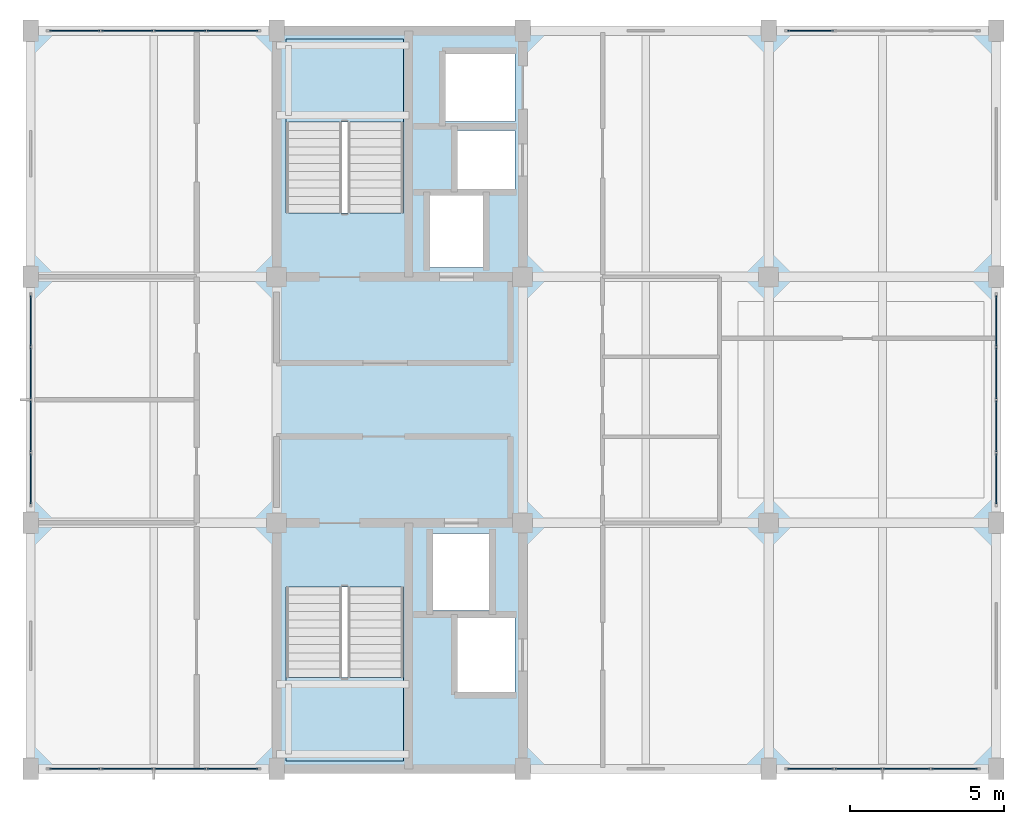
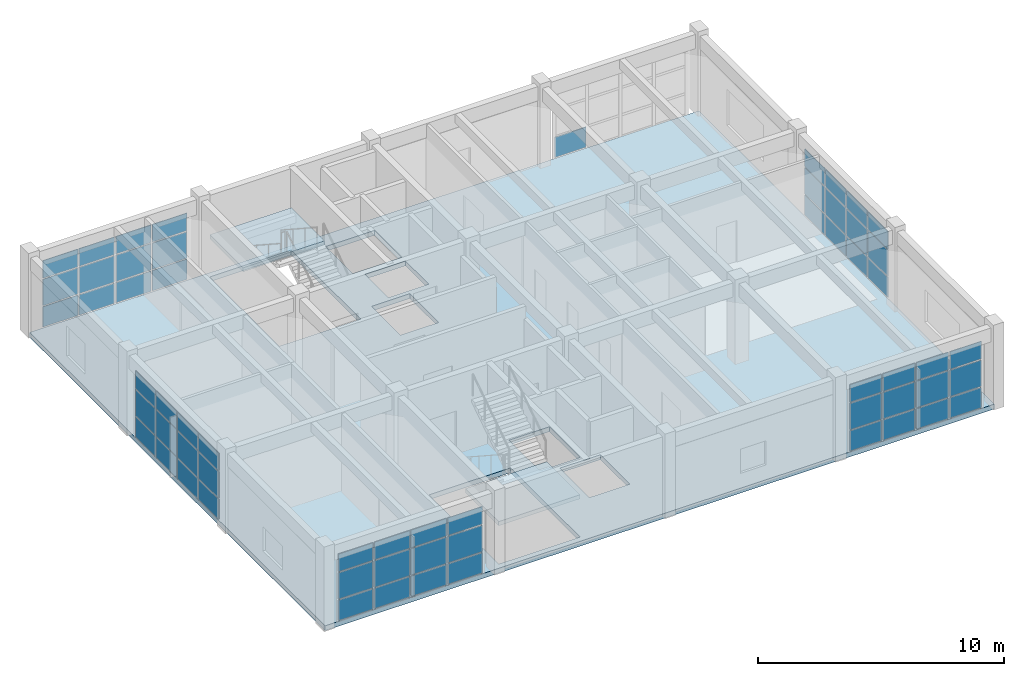
# One storey, part 13 of 18: 61 plates, 3 slabs, 8 elements without a shape of their own.
"""IFC4 building model written with IfcOpenShell, lengths in metres."""

import ifcopenshell
import ifcopenshell.guid

model = None  # the IFC model being written
_history = None  # IfcOwnerHistory: only IFC2X3 demands one
_inside = {}  # id of a spatial element -> (the spatial element, [elements in it])
_under = {}  # id of a project, library or spatial element -> (it, [spatial elements below it])
_declared = {}  # id of a project -> (the project, [libraries it declares])
_typed = {}  # id of a type object -> (the type object, [elements of that type])
_made_of = {}  # id of a material, layer set ... -> (it, [elements and type objects made of it])


def new_model(schema):
    """Start an empty IFC model of exactly this schema.

    Asked for "IFC4X3", IfcOpenShell would pick the latest addendum, in which some entities
    have other attributes; the version numbers below select the first issue.
    IFC2X3 requires an IfcOwnerHistory on every rooted entity: one is made here for all.
    """
    global model, _history
    if schema == "IFC4X3":
        model = ifcopenshell.file(schema_version=(4, 3, 0, 0))
    else:
        model = ifcopenshell.file(schema=schema)
    _inside.clear()
    _under.clear()
    _declared.clear()
    _typed.clear()
    _made_of.clear()
    _history = None
    if model.schema == "IFC2X3":
        org = make("IfcOrganization", Name="unknown")
        user = make(
            "IfcPersonAndOrganization",
            ThePerson=make("IfcPerson", FamilyName="unknown"),
            TheOrganization=org,
        )
        app = make(
            "IfcApplication",
            ApplicationDeveloper=org,
            Version="unknown",
            ApplicationFullName="unknown",
            ApplicationIdentifier="unknown",
        )
        _history = make(
            "IfcOwnerHistory",
            OwningUser=user,
            OwningApplication=app,
            ChangeAction="ADDED",
            CreationDate=0,
        )
    return model


def make(cls, **values):
    """One entity of the class cls with the attributes given. An attribute that is None is left unset."""
    return model.create_entity(
        cls, **{name: value for name, value in values.items() if value is not None}
    )


def rooted(cls, **values):
    """An entity with a GlobalId (a new one), such as an element, a storey or a relation."""
    return make(cls, GlobalId=ifcopenshell.guid.new(), OwnerHistory=_history, **values)


def si_unit(unit_type, name, prefix=None):
    """IfcSIUnit, for example si_unit("LENGTHUNIT", "METRE", prefix="MILLI")."""
    return make("IfcSIUnit", UnitType=unit_type, Prefix=prefix, Name=name)


def assignment(units):
    """IfcUnitAssignment: the units of a project."""
    return None if units is None else make("IfcUnitAssignment", Units=units)


def point(xyz):
    """IfcCartesianPoint."""
    return None if xyz is None else make("IfcCartesianPoint", Coordinates=xyz)


def direction(xyz):
    """IfcDirection."""
    return None if xyz is None else make("IfcDirection", DirectionRatios=xyz)


def frame(location, z_axis=None, x_axis=None):
    """IfcAxis2Placement3D, a coordinate frame: its origin and axes. An axis left out is left unset."""
    return make(
        "IfcAxis2Placement3D",
        Location=point(location),
        Axis=direction(z_axis),
        RefDirection=direction(x_axis),
    )


def frame_2d(location, x_axis=None):
    """IfcAxis2Placement2D, a coordinate frame in the plane: its origin and x axis."""
    return make(
        "IfcAxis2Placement2D", Location=point(location), RefDirection=direction(x_axis)
    )


def origin():
    """The frame at (0, 0, 0) with its axes left unset."""
    return frame((0.0, 0.0, 0.0))


def origin_2d():
    """The frame at (0, 0) in the plane with its x axis left unset."""
    return frame_2d((0.0, 0.0))


def place(relative_to, where):
    """IfcLocalPlacement: puts the frame where relative to a parent placement (None: the world)."""
    return make(
        "IfcLocalPlacement", PlacementRelTo=relative_to, RelativePlacement=where
    )


def context(
    kind, dimensions, precision=None, world=None, true_north=None, identifier=None
):
    """IfcGeometricRepresentationContext, for example the 3D "Model" context."""
    return make(
        "IfcGeometricRepresentationContext",
        ContextIdentifier=identifier,
        ContextType=kind,
        CoordinateSpaceDimension=dimensions,
        Precision=precision,
        WorldCoordinateSystem=world,
        TrueNorth=true_north,
    )


def subcontext(parent, identifier, kind, view, scale=None):
    """IfcGeometricRepresentationSubContext, for example "Body" below "Model"."""
    return make(
        "IfcGeometricRepresentationSubContext",
        ContextIdentifier=identifier,
        ContextType=kind,
        ParentContext=parent,
        TargetScale=scale,
        TargetView=view,
    )


def project(units=None, contexts=None):
    """IfcProject with its units and contexts."""
    return rooted(
        "IfcProject",
        Name="project",
        RepresentationContexts=contexts,
        UnitsInContext=assignment(units),
    )


def spatial(cls, under=None, at=None, **own):
    """A site, building, storey or space (cls), placed at a placement, below another one or the project."""
    s = rooted(cls, ObjectPlacement=at, **own)
    if under is not None:
        _under.setdefault(under.id(), (under, []))[1].append(s)
    return s


def polyline(points):
    """IfcPolyline through the points."""
    return make("IfcPolyline", Points=[point(p) for p in points])


def profile(cls, at=None, kind="AREA", **sizes):
    """A parametric profile (cls). Its sizes go by their IFC names, for example OverallWidth=200.0."""
    return make(cls, ProfileType=kind, Position=at, **sizes)


def rectangle(**sizes):
    """IfcRectangleProfileDef."""
    return profile("IfcRectangleProfileDef", **sizes)


def outline(outer, holes=None, kind="AREA"):
    """IfcArbitraryClosedProfileDef: a profile drawn as a closed curve; with holes, ...WithVoids."""
    if holes is None:
        return make("IfcArbitraryClosedProfileDef", ProfileType=kind, OuterCurve=outer)
    return make(
        "IfcArbitraryProfileDefWithVoids",
        ProfileType=kind,
        OuterCurve=outer,
        InnerCurves=holes,
    )


def extrude(swept, where, along, depth):
    """IfcExtrudedAreaSolid: the profile swept, set in the frame where, extruded along a direction by depth."""
    return make(
        "IfcExtrudedAreaSolid",
        SweptArea=swept,
        Position=where,
        ExtrudedDirection=direction(along),
        Depth=depth,
    )


def shape(context_of_items, identifier, shape_type, items):
    """IfcShapeRepresentation: the items that make up one representation, for example the "Body"."""
    return make(
        "IfcShapeRepresentation",
        ContextOfItems=context_of_items,
        RepresentationIdentifier=identifier,
        RepresentationType=shape_type,
        Items=items,
    )


def material(Name=None, Category=None):
    """IfcMaterial."""
    return make("IfcMaterial", Name=Name, Category=Category)


def layer(
    of_material, thickness, ventilated=None, Name=None, Category=None, Priority=None
):
    """IfcMaterialLayer: one layer of a wall or slab, of a material (None: an air gap)."""
    return make(
        "IfcMaterialLayer",
        Material=of_material,
        LayerThickness=thickness,
        IsVentilated=ventilated,
        Name=Name,
        Category=Category,
        Priority=Priority,
    )


def layer_set(layers, Name=None):
    """IfcMaterialLayerSet."""
    return make("IfcMaterialLayerSet", MaterialLayers=layers, LayerSetName=Name)


def made_of(thing, what):
    """Note that an element or type object is made of a material, layer set ...; save() writes the relation."""
    if what is not None:
        _made_of.setdefault(what.id(), (what, []))[1].append(thing)
    return thing


def type_object(cls, material=None, **own):
    """A type object (cls), such as IfcWallType, which elements share."""
    return made_of(rooted(cls, **own), material)


def element(
    cls,
    number,
    at=None,
    inside=None,
    cuts=None,
    type_object=None,
    material=None,
    context=None,
    identifier="Body",
    shape_type=None,
    held_by="IfcProductDefinitionShape",
    body=None,
    shapes=None,
    **own,
):
    """One element of the class cls, such as IfcWall. Its Tag is "e" and its number.

    at: its placement. inside: the storey or other place that contains it. cuts: it is an
    opening in that element (IfcRelVoidsElement). A single representation is given by context,
    identifier, shape_type and body (its items); several are given by shapes. held_by: the class
    of the entity that holds the representations. save() writes the other relations.
    """
    e = rooted(cls, Tag="e%d" % number, ObjectPlacement=at, **own)
    if body is not None:
        shapes = [shape(context, identifier, shape_type, body)]
    if shapes is not None:
        e.Representation = make(held_by, Representations=shapes)
    if inside is not None:
        _inside.setdefault(inside.id(), (inside, []))[1].append(e)
    if cuts is not None:
        rooted(
            "IfcRelVoidsElement", RelatingBuildingElement=cuts, RelatedOpeningElement=e
        )
    if type_object is not None:
        _typed.setdefault(type_object.id(), (type_object, []))[1].append(e)
    return made_of(e, material)


def aggregate(whole, parts):
    """IfcRelAggregates: a whole, such as a stair, and the parts it consists of."""
    return rooted("IfcRelAggregates", RelatingObject=whole, RelatedObjects=parts)


def save(model, path):
    """Write the relations noted so far, then the file.

    IfcRelAggregates (storeys below a building ...), IfcRelContainedInSpatialStructure (elements
    in a storey), IfcRelDefinesByType, IfcRelAssociatesMaterial and IfcRelDeclares: one each for
    every whole, place, type object, material and project.
    """
    for whole, parts in _under.values():
        aggregate(whole, parts)
    for where, things in _inside.values():
        rooted(
            "IfcRelContainedInSpatialStructure",
            RelatedElements=things,
            RelatingStructure=where,
        )
    for kind, things in _typed.values():
        rooted("IfcRelDefinesByType", RelatedObjects=things, RelatingType=kind)
    for what, things in _made_of.values():
        rooted("IfcRelAssociatesMaterial", RelatedObjects=things, RelatingMaterial=what)
    for by, libraries in _declared.values():
        rooted("IfcRelDeclares", RelatingContext=by, RelatedDefinitions=libraries)
    model.write(path)


model = new_model("IFC4")

# Units and contexts
model_context = context("Model", 3, precision=1e-05, world=origin(), true_north=direction((0.0, 1.0)))
body_context = subcontext(model_context, "Body", "Model", "MODEL_VIEW")
ifc_project = project(units=[si_unit("LENGTHUNIT", "METRE"), si_unit("AREAUNIT", "SQUARE_METRE"), si_unit("VOLUMEUNIT", "CUBIC_METRE"), si_unit("PLANEANGLEUNIT", "RADIAN"), si_unit("MASSUNIT", "GRAM", prefix="KILO")], contexts=[model_context])

# Site, building, storey
site_placement = place(None, origin())
site = spatial("IfcSite", under=ifc_project, at=site_placement, CompositionType="ELEMENT")
building_placement = place(site_placement, origin())
building = spatial("IfcBuilding", under=site, at=building_placement, Name="Canggui Botanical Conservatory", CompositionType="ELEMENT")
storey_placement = place(building_placement, frame((0.0, 0.0, 61.199951171875)))
storey = spatial("IfcBuildingStorey", under=building, at=storey_placement, Name="L15", CompositionType="ELEMENT", Elevation=61.199951171875)

# Curtain wall, plates
ifc_material_1 = material(Name="Thermally Broken Aluminium", Category="aluminium")
ifc_layer_1 = layer(ifc_material_1, 0.14990234375, Name="Thermally Broken Aluminium", Category="aluminium")
ifc_layer_set_1 = layer_set([ifc_layer_1], Name="Thermally Broken Aluminium")
curtain_wall_type = type_object("IfcCurtainWallType", Name="CW-UNIT-C", PredefinedType="USERDEFINED", material=ifc_layer_set_1)
curtain_wall_1_placement = place(storey_placement, origin())
curtain_wall_1 = element("IfcCurtainWall", 1, at=curtain_wall_1_placement, inside=storey, type_object=curtain_wall_type, Name="Facade Curtain Wall CW-TWR-L15-01", ObjectType="UNITISED CURTAIN WALL", PredefinedType="USERDEFINED")
ifc_material_2 = material(Name="Low-E Insulated Glass", Category="glass")
ifc_layer_2 = layer(ifc_material_2, 0.033935546875, Name="Low-E Insulated Glass", Category="glass")
ifc_layer_set_2 = layer_set([ifc_layer_2], Name="Low-E Insulated Glass")
plate_type = type_object("IfcPlateType", Name="CWP-03", PredefinedType="CURTAIN_PANEL", material=ifc_layer_set_2)
plate_1_placement = place(storey_placement, frame((176.0400390625, 42.0, 0.05517578125), z_axis=(0.0, 0.0, 1.0), x_axis=(-1.0, 0.0, 0.0)))
plate_1 = element("IfcPlate", 2, at=plate_1_placement, type_object=plate_type, Name="CW-03 panel 1.1", PredefinedType="CURTAIN_PANEL", context=body_context, shape_type="SweptSolid", body=[
    extrude(rectangle(XDim=1.47998046875, YDim=0.033935546875, at=origin_2d()), origin(), (0.0, 0.0, 1.0), 1.005615234375),
])
plate_2_placement = place(storey_placement, frame((176.0400390625, 42.0, 1.11572265625), z_axis=(0.0, 0.0, 1.0), x_axis=(-1.0, 0.0, 0.0)))
plate_2 = element("IfcPlate", 3, at=plate_2_placement, type_object=plate_type, Name="CW-03 panel 1.2", PredefinedType="CURTAIN_PANEL", context=body_context, shape_type="SweptSolid", body=[
    extrude(rectangle(XDim=1.47998046875, YDim=0.033935546875, at=origin_2d()), origin(), (0.0, 0.0, 1.0), 1.304931640625),
])
plate_3_placement = place(storey_placement, frame((176.0400390625, 42.0, 2.4755859375), z_axis=(0.0, 0.0, 1.0), x_axis=(-1.0, 0.0, 0.0)))
plate_3 = element("IfcPlate", 4, at=plate_3_placement, type_object=plate_type, Name="CW-03 panel 1.3", PredefinedType="CURTAIN_PANEL", context=body_context, shape_type="SweptSolid", body=[
    extrude(rectangle(XDim=1.47998046875, YDim=0.033935546875, at=origin_2d()), origin(), (0.0, 0.0, 1.0), 0.869384765625),
])
plate_4_placement = place(storey_placement, frame((174.485107421875, 42.0, 0.05517578125), z_axis=(0.0, 0.0, 1.0), x_axis=(-1.0, 0.0, 0.0)))
plate_4 = element("IfcPlate", 5, at=plate_4_placement, type_object=plate_type, Name="CW-03 panel 2.1", PredefinedType="CURTAIN_PANEL", context=body_context, shape_type="SweptSolid", body=[
    extrude(rectangle(XDim=1.510009765625, YDim=0.033935546875, at=origin_2d()), origin(), (0.0, 0.0, 1.0), 1.005615234375),
])
plate_5_placement = place(storey_placement, frame((174.485107421875, 42.0, 1.11572265625), z_axis=(0.0, 0.0, 1.0), x_axis=(-1.0, 0.0, 0.0)))
plate_5 = element("IfcPlate", 6, at=plate_5_placement, type_object=plate_type, Name="CW-03 panel 2.2", PredefinedType="CURTAIN_PANEL", context=body_context, shape_type="SweptSolid", body=[
    extrude(rectangle(XDim=1.510009765625, YDim=0.033935546875, at=origin_2d()), origin(), (0.0, 0.0, 1.0), 1.304931640625),
])
plate_6_placement = place(storey_placement, frame((174.485107421875, 42.0, 2.4755859375), z_axis=(0.0, 0.0, 1.0), x_axis=(-1.0, 0.0, 0.0)))
plate_6 = element("IfcPlate", 7, at=plate_6_placement, type_object=plate_type, Name="CW-03 panel 2.3", PredefinedType="CURTAIN_PANEL", context=body_context, shape_type="SweptSolid", body=[
    extrude(rectangle(XDim=1.510009765625, YDim=0.033935546875, at=origin_2d()), origin(), (0.0, 0.0, 1.0), 0.869384765625),
])
plate_7_placement = place(storey_placement, frame((172.9150390625, 42.0, 0.05517578125), z_axis=(0.0, 0.0, 1.0), x_axis=(-1.0, 0.0, 0.0)))
plate_7 = element("IfcPlate", 8, at=plate_7_placement, type_object=plate_type, Name="CW-03 panel 3.1", PredefinedType="CURTAIN_PANEL", context=body_context, shape_type="SweptSolid", body=[
    extrude(rectangle(XDim=1.510009765625, YDim=0.033935546875, at=origin_2d()), origin(), (0.0, 0.0, 1.0), 1.005615234375),
])
plate_8_placement = place(storey_placement, frame((172.9150390625, 42.0, 1.11572265625), z_axis=(0.0, 0.0, 1.0), x_axis=(-1.0, 0.0, 0.0)))
plate_8 = element("IfcPlate", 9, at=plate_8_placement, type_object=plate_type, Name="CW-03 panel 3.2", PredefinedType="CURTAIN_PANEL", context=body_context, shape_type="SweptSolid", body=[
    extrude(rectangle(XDim=1.510009765625, YDim=0.033935546875, at=origin_2d()), origin(), (0.0, 0.0, 1.0), 1.304931640625),
])
plate_9_placement = place(storey_placement, frame((172.9150390625, 42.0, 2.4755859375), z_axis=(0.0, 0.0, 1.0), x_axis=(-1.0, 0.0, 0.0)))
plate_9 = element("IfcPlate", 10, at=plate_9_placement, type_object=plate_type, Name="CW-03 panel 3.3", PredefinedType="CURTAIN_PANEL", context=body_context, shape_type="SweptSolid", body=[
    extrude(rectangle(XDim=1.510009765625, YDim=0.033935546875, at=origin_2d()), origin(), (0.0, 0.0, 1.0), 0.869384765625),
])
plate_10_placement = place(storey_placement, frame((171.360107421875, 42.0, 0.05517578125), z_axis=(0.0, 0.0, 1.0), x_axis=(-1.0, 0.0, 0.0)))
plate_10 = element("IfcPlate", 11, at=plate_10_placement, type_object=plate_type, Name="CW-03 panel 4.1", PredefinedType="CURTAIN_PANEL", context=body_context, shape_type="SweptSolid", body=[
    extrude(rectangle(XDim=1.47998046875, YDim=0.033935546875, at=origin_2d()), origin(), (0.0, 0.0, 1.0), 1.005615234375),
])
plate_11_placement = place(storey_placement, frame((171.360107421875, 42.0, 1.11572265625), z_axis=(0.0, 0.0, 1.0), x_axis=(-1.0, 0.0, 0.0)))
plate_11 = element("IfcPlate", 12, at=plate_11_placement, type_object=plate_type, Name="CW-03 panel 4.2", PredefinedType="CURTAIN_PANEL", context=body_context, shape_type="SweptSolid", body=[
    extrude(rectangle(XDim=1.47998046875, YDim=0.033935546875, at=origin_2d()), origin(), (0.0, 0.0, 1.0), 1.304931640625),
])
plate_12_placement = place(storey_placement, frame((171.360107421875, 42.0, 2.4755859375), z_axis=(0.0, 0.0, 1.0), x_axis=(-1.0, 0.0, 0.0)))
plate_12 = element("IfcPlate", 13, at=plate_12_placement, type_object=plate_type, Name="CW-03 panel 4.3", PredefinedType="CURTAIN_PANEL", context=body_context, shape_type="SweptSolid", body=[
    extrude(rectangle(XDim=1.47998046875, YDim=0.033935546875, at=origin_2d()), origin(), (0.0, 0.0, 1.0), 0.869384765625),
])
aggregate(curtain_wall_1, [plate_1, plate_2, plate_3, plate_4, plate_5, plate_6, plate_7, plate_8, plate_9, plate_10, plate_11, plate_12])

curtain_wall_2_placement = place(storey_placement, origin())
curtain_wall_2 = element("IfcCurtainWall", 14, at=curtain_wall_2_placement, inside=storey, type_object=curtain_wall_type, Name="Facade Curtain Wall CW-TWR-L15-03", ObjectType="UNITISED CURTAIN WALL", PredefinedType="USERDEFINED")
plate_13_placement = place(storey_placement, frame((152.56494140625, 42.0, 0.05517578125), z_axis=(0.0, 0.0, 1.0), x_axis=(-1.0, 0.0, 0.0)))
plate_13 = element("IfcPlate", 15, at=plate_13_placement, type_object=plate_type, Name="CW-03 panel 1.1", PredefinedType="CURTAIN_PANEL", context=body_context, shape_type="SweptSolid", body=[
    extrude(rectangle(XDim=1.6298828125, YDim=0.033935546875, at=origin_2d()), origin(), (0.0, 0.0, 1.0), 1.005615234375),
])
plate_14_placement = place(storey_placement, frame((152.56494140625, 42.0, 1.11572265625), z_axis=(0.0, 0.0, 1.0), x_axis=(-1.0, 0.0, 0.0)))
plate_14 = element("IfcPlate", 16, at=plate_14_placement, type_object=plate_type, Name="CW-03 panel 1.2", PredefinedType="CURTAIN_PANEL", context=body_context, shape_type="SweptSolid", body=[
    extrude(rectangle(XDim=1.6298828125, YDim=0.033935546875, at=origin_2d()), origin(), (0.0, 0.0, 1.0), 1.304931640625),
])
plate_15_placement = place(storey_placement, frame((152.56494140625, 42.0, 2.4755859375), z_axis=(0.0, 0.0, 1.0), x_axis=(-1.0, 0.0, 0.0)))
plate_15 = element("IfcPlate", 17, at=plate_15_placement, type_object=plate_type, Name="CW-03 panel 1.3", PredefinedType="CURTAIN_PANEL", context=body_context, shape_type="SweptSolid", body=[
    extrude(rectangle(XDim=1.6298828125, YDim=0.033935546875, at=origin_2d()), origin(), (0.0, 0.0, 1.0), 0.869384765625),
])
plate_16_placement = place(storey_placement, frame((150.860107421875, 42.0, 0.05517578125), z_axis=(0.0, 0.0, 1.0), x_axis=(-1.0, 0.0, 0.0)))
plate_16 = element("IfcPlate", 18, at=plate_16_placement, type_object=plate_type, Name="CW-03 panel 2.1", PredefinedType="CURTAIN_PANEL", context=body_context, shape_type="SweptSolid", body=[
    extrude(rectangle(XDim=1.659912109375, YDim=0.033935546875, at=origin_2d()), origin(), (0.0, 0.0, 1.0), 1.005615234375),
])
plate_17_placement = place(storey_placement, frame((150.860107421875, 42.0, 1.11572265625), z_axis=(0.0, 0.0, 1.0), x_axis=(-1.0, 0.0, 0.0)))
plate_17 = element("IfcPlate", 19, at=plate_17_placement, type_object=plate_type, Name="CW-03 panel 2.2", PredefinedType="CURTAIN_PANEL", context=body_context, shape_type="SweptSolid", body=[
    extrude(rectangle(XDim=1.659912109375, YDim=0.033935546875, at=origin_2d()), origin(), (0.0, 0.0, 1.0), 1.304931640625),
])
plate_18_placement = place(storey_placement, frame((150.860107421875, 42.0, 2.4755859375), z_axis=(0.0, 0.0, 1.0), x_axis=(-1.0, 0.0, 0.0)))
plate_18 = element("IfcPlate", 20, at=plate_18_placement, type_object=plate_type, Name="CW-03 panel 2.3", PredefinedType="CURTAIN_PANEL", context=body_context, shape_type="SweptSolid", body=[
    extrude(rectangle(XDim=1.659912109375, YDim=0.033935546875, at=origin_2d()), origin(), (0.0, 0.0, 1.0), 0.869384765625),
])
plate_19_placement = place(storey_placement, frame((149.139892578125, 42.0, 0.05517578125), z_axis=(0.0, 0.0, 1.0), x_axis=(-1.0, 0.0, 0.0)))
plate_19 = element("IfcPlate", 21, at=plate_19_placement, type_object=plate_type, Name="CW-03 panel 3.1", PredefinedType="CURTAIN_PANEL", context=body_context, shape_type="SweptSolid", body=[
    extrude(rectangle(XDim=1.659912109375, YDim=0.033935546875, at=origin_2d()), origin(), (0.0, 0.0, 1.0), 1.005615234375),
])
plate_20_placement = place(storey_placement, frame((149.139892578125, 42.0, 1.11572265625), z_axis=(0.0, 0.0, 1.0), x_axis=(-1.0, 0.0, 0.0)))
plate_20 = element("IfcPlate", 22, at=plate_20_placement, type_object=plate_type, Name="CW-03 panel 3.2", PredefinedType="CURTAIN_PANEL", context=body_context, shape_type="SweptSolid", body=[
    extrude(rectangle(XDim=1.659912109375, YDim=0.033935546875, at=origin_2d()), origin(), (0.0, 0.0, 1.0), 1.304931640625),
])
plate_21_placement = place(storey_placement, frame((149.139892578125, 42.0, 2.4755859375), z_axis=(0.0, 0.0, 1.0), x_axis=(-1.0, 0.0, 0.0)))
plate_21 = element("IfcPlate", 23, at=plate_21_placement, type_object=plate_type, Name="CW-03 panel 3.3", PredefinedType="CURTAIN_PANEL", context=body_context, shape_type="SweptSolid", body=[
    extrude(rectangle(XDim=1.659912109375, YDim=0.033935546875, at=origin_2d()), origin(), (0.0, 0.0, 1.0), 0.869384765625),
])
plate_22_placement = place(storey_placement, frame((147.43505859375, 42.0, 0.05517578125), z_axis=(0.0, 0.0, 1.0), x_axis=(-1.0, 0.0, 0.0)))
plate_22 = element("IfcPlate", 24, at=plate_22_placement, type_object=plate_type, Name="CW-03 panel 4.1", PredefinedType="CURTAIN_PANEL", context=body_context, shape_type="SweptSolid", body=[
    extrude(rectangle(XDim=1.6298828125, YDim=0.033935546875, at=origin_2d()), origin(), (0.0, 0.0, 1.0), 1.005615234375),
])
plate_23_placement = place(storey_placement, frame((147.43505859375, 42.0, 1.11572265625), z_axis=(0.0, 0.0, 1.0), x_axis=(-1.0, 0.0, 0.0)))
plate_23 = element("IfcPlate", 25, at=plate_23_placement, type_object=plate_type, Name="CW-03 panel 4.2", PredefinedType="CURTAIN_PANEL", context=body_context, shape_type="SweptSolid", body=[
    extrude(rectangle(XDim=1.6298828125, YDim=0.033935546875, at=origin_2d()), origin(), (0.0, 0.0, 1.0), 1.304931640625),
])
plate_24_placement = place(storey_placement, frame((147.43505859375, 42.0, 2.4755859375), z_axis=(0.0, 0.0, 1.0), x_axis=(-1.0, 0.0, 0.0)))
plate_24 = element("IfcPlate", 26, at=plate_24_placement, type_object=plate_type, Name="CW-03 panel 4.3", PredefinedType="CURTAIN_PANEL", context=body_context, shape_type="SweptSolid", body=[
    extrude(rectangle(XDim=1.6298828125, YDim=0.033935546875, at=origin_2d()), origin(), (0.0, 0.0, 1.0), 0.869384765625),
])
aggregate(curtain_wall_2, [plate_13, plate_14, plate_15, plate_16, plate_17, plate_18, plate_19, plate_20, plate_21, plate_22, plate_23, plate_24])

curtain_wall_3_placement = place(storey_placement, origin())
curtain_wall_3 = element("IfcCurtainWall", 27, at=curtain_wall_3_placement, inside=storey, type_object=curtain_wall_type, Name="Facade Curtain Wall CW-TWR-L15-05", ObjectType="UNITISED CURTAIN WALL", PredefinedType="USERDEFINED")
plate_25_placement = place(storey_placement, frame((146.0, 51.43505859375, 0.05517578125), z_axis=(0.0, 0.0, 1.0), x_axis=(0.0, 1.0, 0.0)))
plate_25 = element("IfcPlate", 28, at=plate_25_placement, type_object=plate_type, Name="CW-03 panel 1.1", PredefinedType="CURTAIN_PANEL", context=body_context, shape_type="SweptSolid", body=[
    extrude(rectangle(XDim=1.6298828125, YDim=0.033935546875, at=origin_2d()), origin(), (0.0, 0.0, 1.0), 1.005615234375),
])
plate_26_placement = place(storey_placement, frame((146.0, 51.43505859375, 1.11572265625), z_axis=(0.0, 0.0, 1.0), x_axis=(0.0, 1.0, 0.0)))
plate_26 = element("IfcPlate", 29, at=plate_26_placement, type_object=plate_type, Name="CW-03 panel 1.2", PredefinedType="CURTAIN_PANEL", context=body_context, shape_type="SweptSolid", body=[
    extrude(rectangle(XDim=1.6298828125, YDim=0.033935546875, at=origin_2d()), origin(), (0.0, 0.0, 1.0), 1.304931640625),
])
plate_27_placement = place(storey_placement, frame((146.0, 51.43505859375, 2.4755859375), z_axis=(0.0, 0.0, 1.0), x_axis=(0.0, 1.0, 0.0)))
plate_27 = element("IfcPlate", 30, at=plate_27_placement, type_object=plate_type, Name="CW-03 panel 1.3", PredefinedType="CURTAIN_PANEL", context=body_context, shape_type="SweptSolid", body=[
    extrude(rectangle(XDim=1.6298828125, YDim=0.033935546875, at=origin_2d()), origin(), (0.0, 0.0, 1.0), 0.869384765625),
])
plate_28_placement = place(storey_placement, frame((146.0, 53.139892578125, 0.05517578125), z_axis=(0.0, 0.0, 1.0), x_axis=(0.0, 1.0, 0.0)))
plate_28 = element("IfcPlate", 31, at=plate_28_placement, type_object=plate_type, Name="CW-03 panel 2.1", PredefinedType="CURTAIN_PANEL", context=body_context, shape_type="SweptSolid", body=[
    extrude(rectangle(XDim=1.659912109375, YDim=0.033935546875, at=origin_2d()), origin(), (0.0, 0.0, 1.0), 1.005615234375),
])
plate_29_placement = place(storey_placement, frame((146.0, 53.139892578125, 1.11572265625), z_axis=(0.0, 0.0, 1.0), x_axis=(0.0, 1.0, 0.0)))
plate_29 = element("IfcPlate", 32, at=plate_29_placement, type_object=plate_type, Name="CW-03 panel 2.2", PredefinedType="CURTAIN_PANEL", context=body_context, shape_type="SweptSolid", body=[
    extrude(rectangle(XDim=1.659912109375, YDim=0.033935546875, at=origin_2d()), origin(), (0.0, 0.0, 1.0), 1.304931640625),
])
plate_30_placement = place(storey_placement, frame((146.0, 53.139892578125, 2.4755859375), z_axis=(0.0, 0.0, 1.0), x_axis=(0.0, 1.0, 0.0)))
plate_30 = element("IfcPlate", 33, at=plate_30_placement, type_object=plate_type, Name="CW-03 panel 2.3", PredefinedType="CURTAIN_PANEL", context=body_context, shape_type="SweptSolid", body=[
    extrude(rectangle(XDim=1.659912109375, YDim=0.033935546875, at=origin_2d()), origin(), (0.0, 0.0, 1.0), 0.869384765625),
])
plate_31_placement = place(storey_placement, frame((146.0, 54.860107421875, 0.05517578125), z_axis=(0.0, 0.0, 1.0), x_axis=(0.0, 1.0, 0.0)))
plate_31 = element("IfcPlate", 34, at=plate_31_placement, type_object=plate_type, Name="CW-03 panel 3.1", PredefinedType="CURTAIN_PANEL", context=body_context, shape_type="SweptSolid", body=[
    extrude(rectangle(XDim=1.659912109375, YDim=0.033935546875, at=origin_2d()), origin(), (0.0, 0.0, 1.0), 1.005615234375),
])
plate_32_placement = place(storey_placement, frame((146.0, 54.860107421875, 1.11572265625), z_axis=(0.0, 0.0, 1.0), x_axis=(0.0, 1.0, 0.0)))
plate_32 = element("IfcPlate", 35, at=plate_32_placement, type_object=plate_type, Name="CW-03 panel 3.2", PredefinedType="CURTAIN_PANEL", context=body_context, shape_type="SweptSolid", body=[
    extrude(rectangle(XDim=1.659912109375, YDim=0.033935546875, at=origin_2d()), origin(), (0.0, 0.0, 1.0), 1.304931640625),
])
plate_33_placement = place(storey_placement, frame((146.0, 54.860107421875, 2.4755859375), z_axis=(0.0, 0.0, 1.0), x_axis=(0.0, 1.0, 0.0)))
plate_33 = element("IfcPlate", 36, at=plate_33_placement, type_object=plate_type, Name="CW-03 panel 3.3", PredefinedType="CURTAIN_PANEL", context=body_context, shape_type="SweptSolid", body=[
    extrude(rectangle(XDim=1.659912109375, YDim=0.033935546875, at=origin_2d()), origin(), (0.0, 0.0, 1.0), 0.869384765625),
])
plate_34_placement = place(storey_placement, frame((146.0, 56.56494140625, 0.05517578125), z_axis=(0.0, 0.0, 1.0), x_axis=(0.0, 1.0, 0.0)))
plate_34 = element("IfcPlate", 37, at=plate_34_placement, type_object=plate_type, Name="CW-03 panel 4.1", PredefinedType="CURTAIN_PANEL", context=body_context, shape_type="SweptSolid", body=[
    extrude(rectangle(XDim=1.6298828125, YDim=0.033935546875, at=origin_2d()), origin(), (0.0, 0.0, 1.0), 1.005615234375),
])
plate_35_placement = place(storey_placement, frame((146.0, 56.56494140625, 1.11572265625), z_axis=(0.0, 0.0, 1.0), x_axis=(0.0, 1.0, 0.0)))
plate_35 = element("IfcPlate", 38, at=plate_35_placement, type_object=plate_type, Name="CW-03 panel 4.2", PredefinedType="CURTAIN_PANEL", context=body_context, shape_type="SweptSolid", body=[
    extrude(rectangle(XDim=1.6298828125, YDim=0.033935546875, at=origin_2d()), origin(), (0.0, 0.0, 1.0), 1.304931640625),
])
plate_36_placement = place(storey_placement, frame((146.0, 56.56494140625, 2.4755859375), z_axis=(0.0, 0.0, 1.0), x_axis=(0.0, 1.0, 0.0)))
plate_36 = element("IfcPlate", 39, at=plate_36_placement, type_object=plate_type, Name="CW-03 panel 4.3", PredefinedType="CURTAIN_PANEL", context=body_context, shape_type="SweptSolid", body=[
    extrude(rectangle(XDim=1.6298828125, YDim=0.033935546875, at=origin_2d()), origin(), (0.0, 0.0, 1.0), 0.869384765625),
])
aggregate(curtain_wall_3, [plate_25, plate_26, plate_27, plate_28, plate_29, plate_30, plate_31, plate_32, plate_33, plate_34, plate_35, plate_36])

curtain_wall_4_placement = place(storey_placement, origin())
curtain_wall_4 = element("IfcCurtainWall", 40, at=curtain_wall_4_placement, inside=storey, type_object=curtain_wall_type, Name="Facade Curtain Wall CW-TWR-L15-07", ObjectType="UNITISED CURTAIN WALL", PredefinedType="USERDEFINED")
plate_37_placement = place(storey_placement, frame((147.43505859375, 66.0, 0.05517578125), z_axis=(0.0, 0.0, 1.0), x_axis=(1.0, 0.0, 0.0)))
plate_37 = element("IfcPlate", 41, at=plate_37_placement, type_object=plate_type, Name="CW-03 panel 1.1", PredefinedType="CURTAIN_PANEL", context=body_context, shape_type="SweptSolid", body=[
    extrude(rectangle(XDim=1.6298828125, YDim=0.033935546875, at=origin_2d()), origin(), (0.0, 0.0, 1.0), 1.005615234375),
])
plate_38_placement = place(storey_placement, frame((147.43505859375, 66.0, 1.11572265625), z_axis=(0.0, 0.0, 1.0), x_axis=(1.0, 0.0, 0.0)))
plate_38 = element("IfcPlate", 42, at=plate_38_placement, type_object=plate_type, Name="CW-03 panel 1.2", PredefinedType="CURTAIN_PANEL", context=body_context, shape_type="SweptSolid", body=[
    extrude(rectangle(XDim=1.6298828125, YDim=0.033935546875, at=origin_2d()), origin(), (0.0, 0.0, 1.0), 1.304931640625),
])
plate_39_placement = place(storey_placement, frame((147.43505859375, 66.0, 2.4755859375), z_axis=(0.0, 0.0, 1.0), x_axis=(1.0, 0.0, 0.0)))
plate_39 = element("IfcPlate", 43, at=plate_39_placement, type_object=plate_type, Name="CW-03 panel 1.3", PredefinedType="CURTAIN_PANEL", context=body_context, shape_type="SweptSolid", body=[
    extrude(rectangle(XDim=1.6298828125, YDim=0.033935546875, at=origin_2d()), origin(), (0.0, 0.0, 1.0), 0.869384765625),
])
plate_40_placement = place(storey_placement, frame((149.139892578125, 66.0, 0.05517578125), z_axis=(0.0, 0.0, 1.0), x_axis=(1.0, 0.0, 0.0)))
plate_40 = element("IfcPlate", 44, at=plate_40_placement, type_object=plate_type, Name="CW-03 panel 2.1", PredefinedType="CURTAIN_PANEL", context=body_context, shape_type="SweptSolid", body=[
    extrude(rectangle(XDim=1.659912109375, YDim=0.033935546875, at=origin_2d()), origin(), (0.0, 0.0, 1.0), 1.005615234375),
])
plate_41_placement = place(storey_placement, frame((149.139892578125, 66.0, 1.11572265625), z_axis=(0.0, 0.0, 1.0), x_axis=(1.0, 0.0, 0.0)))
plate_41 = element("IfcPlate", 45, at=plate_41_placement, type_object=plate_type, Name="CW-03 panel 2.2", PredefinedType="CURTAIN_PANEL", context=body_context, shape_type="SweptSolid", body=[
    extrude(rectangle(XDim=1.659912109375, YDim=0.033935546875, at=origin_2d()), origin(), (0.0, 0.0, 1.0), 1.304931640625),
])
plate_42_placement = place(storey_placement, frame((149.139892578125, 66.0, 2.4755859375), z_axis=(0.0, 0.0, 1.0), x_axis=(1.0, 0.0, 0.0)))
plate_42 = element("IfcPlate", 46, at=plate_42_placement, type_object=plate_type, Name="CW-03 panel 2.3", PredefinedType="CURTAIN_PANEL", context=body_context, shape_type="SweptSolid", body=[
    extrude(rectangle(XDim=1.659912109375, YDim=0.033935546875, at=origin_2d()), origin(), (0.0, 0.0, 1.0), 0.869384765625),
])
plate_43_placement = place(storey_placement, frame((150.860107421875, 66.0, 0.05517578125), z_axis=(0.0, 0.0, 1.0), x_axis=(1.0, 0.0, 0.0)))
plate_43 = element("IfcPlate", 47, at=plate_43_placement, type_object=plate_type, Name="CW-03 panel 3.1", PredefinedType="CURTAIN_PANEL", context=body_context, shape_type="SweptSolid", body=[
    extrude(rectangle(XDim=1.659912109375, YDim=0.033935546875, at=origin_2d()), origin(), (0.0, 0.0, 1.0), 1.005615234375),
])
plate_44_placement = place(storey_placement, frame((150.860107421875, 66.0, 1.11572265625), z_axis=(0.0, 0.0, 1.0), x_axis=(1.0, 0.0, 0.0)))
plate_44 = element("IfcPlate", 48, at=plate_44_placement, type_object=plate_type, Name="CW-03 panel 3.2", PredefinedType="CURTAIN_PANEL", context=body_context, shape_type="SweptSolid", body=[
    extrude(rectangle(XDim=1.659912109375, YDim=0.033935546875, at=origin_2d()), origin(), (0.0, 0.0, 1.0), 1.304931640625),
])
plate_45_placement = place(storey_placement, frame((150.860107421875, 66.0, 2.4755859375), z_axis=(0.0, 0.0, 1.0), x_axis=(1.0, 0.0, 0.0)))
plate_45 = element("IfcPlate", 49, at=plate_45_placement, type_object=plate_type, Name="CW-03 panel 3.3", PredefinedType="CURTAIN_PANEL", context=body_context, shape_type="SweptSolid", body=[
    extrude(rectangle(XDim=1.659912109375, YDim=0.033935546875, at=origin_2d()), origin(), (0.0, 0.0, 1.0), 0.869384765625),
])
plate_46_placement = place(storey_placement, frame((152.56494140625, 66.0, 0.05517578125), z_axis=(0.0, 0.0, 1.0), x_axis=(1.0, 0.0, 0.0)))
plate_46 = element("IfcPlate", 50, at=plate_46_placement, type_object=plate_type, Name="CW-03 panel 4.1", PredefinedType="CURTAIN_PANEL", context=body_context, shape_type="SweptSolid", body=[
    extrude(rectangle(XDim=1.6298828125, YDim=0.033935546875, at=origin_2d()), origin(), (0.0, 0.0, 1.0), 1.005615234375),
])
plate_47_placement = place(storey_placement, frame((152.56494140625, 66.0, 1.11572265625), z_axis=(0.0, 0.0, 1.0), x_axis=(1.0, 0.0, 0.0)))
plate_47 = element("IfcPlate", 51, at=plate_47_placement, type_object=plate_type, Name="CW-03 panel 4.2", PredefinedType="CURTAIN_PANEL", context=body_context, shape_type="SweptSolid", body=[
    extrude(rectangle(XDim=1.6298828125, YDim=0.033935546875, at=origin_2d()), origin(), (0.0, 0.0, 1.0), 1.304931640625),
])
plate_48_placement = place(storey_placement, frame((152.56494140625, 66.0, 2.4755859375), z_axis=(0.0, 0.0, 1.0), x_axis=(1.0, 0.0, 0.0)))
plate_48 = element("IfcPlate", 52, at=plate_48_placement, type_object=plate_type, Name="CW-03 panel 4.3", PredefinedType="CURTAIN_PANEL", context=body_context, shape_type="SweptSolid", body=[
    extrude(rectangle(XDim=1.6298828125, YDim=0.033935546875, at=origin_2d()), origin(), (0.0, 0.0, 1.0), 0.869384765625),
])
aggregate(curtain_wall_4, [plate_37, plate_38, plate_39, plate_40, plate_41, plate_42, plate_43, plate_44, plate_45, plate_46, plate_47, plate_48])

# Curtain wall, plate
curtain_wall_5_placement = place(storey_placement, origin())
curtain_wall_5 = element("IfcCurtainWall", 53, at=curtain_wall_5_placement, inside=storey, type_object=curtain_wall_type, Name="Facade Curtain Wall CW-TWR-L15-09", ObjectType="UNITISED CURTAIN WALL", PredefinedType="USERDEFINED")
plate_49_placement = place(storey_placement, frame((171.360107421875, 66.0, 0.05517578125), z_axis=(0.0, 0.0, 1.0), x_axis=(1.0, 0.0, 0.0)))
plate_49 = element("IfcPlate", 54, at=plate_49_placement, type_object=plate_type, Name="CW-03 panel 1.1", PredefinedType="CURTAIN_PANEL", context=body_context, shape_type="SweptSolid", body=[
    extrude(rectangle(XDim=1.47998046875, YDim=0.033935546875, at=origin_2d()), origin(), (0.0, 0.0, 1.0), 1.005615234375),
])
aggregate(curtain_wall_5, [plate_49])

# Curtain wall, plates
curtain_wall_6_placement = place(storey_placement, origin())
curtain_wall_6 = element("IfcCurtainWall", 55, at=curtain_wall_6_placement, inside=storey, type_object=curtain_wall_type, Name="Facade Curtain Wall CW-TWR-L15-11", ObjectType="UNITISED CURTAIN WALL", PredefinedType="USERDEFINED")
plate_50_placement = place(storey_placement, frame((177.39990234375, 56.56494140625, 0.05517578125), z_axis=(0.0, 0.0, 1.0), x_axis=(0.0, -1.0, 0.0)))
plate_50 = element("IfcPlate", 56, at=plate_50_placement, type_object=plate_type, Name="CW-03 panel 1.1", PredefinedType="CURTAIN_PANEL", context=body_context, shape_type="SweptSolid", body=[
    extrude(rectangle(XDim=1.6298828125, YDim=0.033935546875, at=origin_2d()), origin(), (0.0, 0.0, 1.0), 1.005615234375),
])
plate_51_placement = place(storey_placement, frame((177.39990234375, 56.56494140625, 1.11572265625), z_axis=(0.0, 0.0, 1.0), x_axis=(0.0, -1.0, 0.0)))
plate_51 = element("IfcPlate", 57, at=plate_51_placement, type_object=plate_type, Name="CW-03 panel 1.2", PredefinedType="CURTAIN_PANEL", context=body_context, shape_type="SweptSolid", body=[
    extrude(rectangle(XDim=1.6298828125, YDim=0.033935546875, at=origin_2d()), origin(), (0.0, 0.0, 1.0), 1.304931640625),
])
plate_52_placement = place(storey_placement, frame((177.39990234375, 56.56494140625, 2.4755859375), z_axis=(0.0, 0.0, 1.0), x_axis=(0.0, -1.0, 0.0)))
plate_52 = element("IfcPlate", 58, at=plate_52_placement, type_object=plate_type, Name="CW-03 panel 1.3", PredefinedType="CURTAIN_PANEL", context=body_context, shape_type="SweptSolid", body=[
    extrude(rectangle(XDim=1.6298828125, YDim=0.033935546875, at=origin_2d()), origin(), (0.0, 0.0, 1.0), 0.869384765625),
])
plate_53_placement = place(storey_placement, frame((177.39990234375, 54.860107421875, 0.05517578125), z_axis=(0.0, 0.0, 1.0), x_axis=(0.0, -1.0, 0.0)))
plate_53 = element("IfcPlate", 59, at=plate_53_placement, type_object=plate_type, Name="CW-03 panel 2.1", PredefinedType="CURTAIN_PANEL", context=body_context, shape_type="SweptSolid", body=[
    extrude(rectangle(XDim=1.659912109375, YDim=0.033935546875, at=origin_2d()), origin(), (0.0, 0.0, 1.0), 1.005615234375),
])
plate_54_placement = place(storey_placement, frame((177.39990234375, 54.860107421875, 1.11572265625), z_axis=(0.0, 0.0, 1.0), x_axis=(0.0, -1.0, 0.0)))
plate_54 = element("IfcPlate", 60, at=plate_54_placement, type_object=plate_type, Name="CW-03 panel 2.2", PredefinedType="CURTAIN_PANEL", context=body_context, shape_type="SweptSolid", body=[
    extrude(rectangle(XDim=1.659912109375, YDim=0.033935546875, at=origin_2d()), origin(), (0.0, 0.0, 1.0), 1.304931640625),
])
plate_55_placement = place(storey_placement, frame((177.39990234375, 54.860107421875, 2.4755859375), z_axis=(0.0, 0.0, 1.0), x_axis=(0.0, -1.0, 0.0)))
plate_55 = element("IfcPlate", 61, at=plate_55_placement, type_object=plate_type, Name="CW-03 panel 2.3", PredefinedType="CURTAIN_PANEL", context=body_context, shape_type="SweptSolid", body=[
    extrude(rectangle(XDim=1.659912109375, YDim=0.033935546875, at=origin_2d()), origin(), (0.0, 0.0, 1.0), 0.869384765625),
])
plate_56_placement = place(storey_placement, frame((177.39990234375, 53.139892578125, 0.05517578125), z_axis=(0.0, 0.0, 1.0), x_axis=(0.0, -1.0, 0.0)))
plate_56 = element("IfcPlate", 62, at=plate_56_placement, type_object=plate_type, Name="CW-03 panel 3.1", PredefinedType="CURTAIN_PANEL", context=body_context, shape_type="SweptSolid", body=[
    extrude(rectangle(XDim=1.659912109375, YDim=0.033935546875, at=origin_2d()), origin(), (0.0, 0.0, 1.0), 1.005615234375),
])
plate_57_placement = place(storey_placement, frame((177.39990234375, 53.139892578125, 1.11572265625), z_axis=(0.0, 0.0, 1.0), x_axis=(0.0, -1.0, 0.0)))
plate_57 = element("IfcPlate", 63, at=plate_57_placement, type_object=plate_type, Name="CW-03 panel 3.2", PredefinedType="CURTAIN_PANEL", context=body_context, shape_type="SweptSolid", body=[
    extrude(rectangle(XDim=1.659912109375, YDim=0.033935546875, at=origin_2d()), origin(), (0.0, 0.0, 1.0), 1.304931640625),
])
plate_58_placement = place(storey_placement, frame((177.39990234375, 53.139892578125, 2.4755859375), z_axis=(0.0, 0.0, 1.0), x_axis=(0.0, -1.0, 0.0)))
plate_58 = element("IfcPlate", 64, at=plate_58_placement, type_object=plate_type, Name="CW-03 panel 3.3", PredefinedType="CURTAIN_PANEL", context=body_context, shape_type="SweptSolid", body=[
    extrude(rectangle(XDim=1.659912109375, YDim=0.033935546875, at=origin_2d()), origin(), (0.0, 0.0, 1.0), 0.869384765625),
])
plate_59_placement = place(storey_placement, frame((177.39990234375, 51.43505859375, 0.05517578125), z_axis=(0.0, 0.0, 1.0), x_axis=(0.0, -1.0, 0.0)))
plate_59 = element("IfcPlate", 65, at=plate_59_placement, type_object=plate_type, Name="CW-03 panel 4.1", PredefinedType="CURTAIN_PANEL", context=body_context, shape_type="SweptSolid", body=[
    extrude(rectangle(XDim=1.6298828125, YDim=0.033935546875, at=origin_2d()), origin(), (0.0, 0.0, 1.0), 1.005615234375),
])
plate_60_placement = place(storey_placement, frame((177.39990234375, 51.43505859375, 1.11572265625), z_axis=(0.0, 0.0, 1.0), x_axis=(0.0, -1.0, 0.0)))
plate_60 = element("IfcPlate", 66, at=plate_60_placement, type_object=plate_type, Name="CW-03 panel 4.2", PredefinedType="CURTAIN_PANEL", context=body_context, shape_type="SweptSolid", body=[
    extrude(rectangle(XDim=1.6298828125, YDim=0.033935546875, at=origin_2d()), origin(), (0.0, 0.0, 1.0), 1.304931640625),
])
plate_61_placement = place(storey_placement, frame((177.39990234375, 51.43505859375, 2.4755859375), z_axis=(0.0, 0.0, 1.0), x_axis=(0.0, -1.0, 0.0)))
plate_61 = element("IfcPlate", 67, at=plate_61_placement, type_object=plate_type, Name="CW-03 panel 4.3", PredefinedType="CURTAIN_PANEL", context=body_context, shape_type="SweptSolid", body=[
    extrude(rectangle(XDim=1.6298828125, YDim=0.033935546875, at=origin_2d()), origin(), (0.0, 0.0, 1.0), 0.869384765625),
])
aggregate(curtain_wall_6, [plate_50, plate_51, plate_52, plate_53, plate_54, plate_55, plate_56, plate_57, plate_58, plate_59, plate_60, plate_61])

# Slab
ifc_material_3 = material(Name="Concrete C35", Category="concrete")
ifc_layer_3 = layer(ifc_material_3, 0.239990234375, Name="Concrete C35", Category="concrete")
ifc_layer_set_3 = layer_set([ifc_layer_3], Name="Concrete C35")
slab_type_1 = type_object("IfcSlabType", Name="SLAB-F240", PredefinedType="FLOOR", material=ifc_layer_set_3)
slab_1_placement = place(storey_placement, frame((0.0, 0.0, -0.239990234375)))
element("IfcSlab", 68, at=slab_1_placement, inside=storey, type_object=slab_type_1, Name="Research Tower L15 Floor Slab", PredefinedType="FLOOR", context=body_context, shape_type="SweptSolid", body=[
    extrude(outline(polyline([(146.0, 42.0), (177.39990234375, 42.0), (177.39990234375, 66.0), (146.0, 66.0), (146.0, 42.0)]), holes=[polyline([(154.300048828125, 47.91943359375), (154.300048828125, 42.260009765625), (158.1201171875, 42.260009765625), (158.1201171875, 47.91943359375), (154.300048828125, 47.91943359375)]), polyline([(158.1201171875, 60.08056640625), (158.1201171875, 65.739990234375), (154.300048828125, 65.739990234375), (154.300048828125, 60.08056640625), (158.1201171875, 60.08056640625)]), polyline([(159.050048828125, 47.14990234375), (160.949951171875, 47.14990234375), (160.949951171875, 49.64990234375), (159.050048828125, 49.64990234375), (159.050048828125, 47.14990234375)]), polyline([(159.85009765625, 44.5), (161.75, 44.5), (161.75, 46.89990234375), (159.85009765625, 46.89990234375), (159.85009765625, 44.5)]), polyline([(158.949951171875, 58.300048828125), (160.75, 58.300048828125), (160.75, 60.64990234375), (158.949951171875, 60.64990234375), (158.949951171875, 58.300048828125)]), polyline([(159.85009765625, 60.85009765625), (161.75, 60.85009765625), (161.75, 62.75), (159.85009765625, 62.75), (159.85009765625, 60.85009765625)]), polyline([(159.449951171875, 63.050048828125), (161.75, 63.050048828125), (161.75, 65.25), (159.449951171875, 65.25), (159.449951171875, 63.050048828125)])]), origin(), (0.0, 0.0, 1.0), 0.239990234375),
])

# Stair, slab
stair_type = type_object("IfcStairType", Name="STR-TYPE-6", PredefinedType="HALF_TURN_STAIR", material=ifc_material_3)
stair_1_placement = place(storey_placement, origin())
stair_1 = element("IfcStair", 69, at=stair_1_placement, inside=storey, type_object=stair_type, Name="L15 Tower South Smoke-Proof Stair ST-T1", PredefinedType="HALF_TURN_STAIR")
ifc_layer_4 = layer(ifc_material_3, 0.199951171875, Name="Concrete C35", Category="concrete")
ifc_layer_set_4 = layer_set([ifc_layer_4], Name="Concrete C35")
slab_type_2 = type_object("IfcSlabType", Name="SLAB-LND-200", PredefinedType="LANDING", material=ifc_layer_set_4)
slab_2_placement = place(storey_placement, frame((0.0, 0.0, 1.900146484375)))
slab_2 = element("IfcSlab", 70, at=slab_2_placement, type_object=slab_type_2, Name="ST-T1 landing 1", PredefinedType="LANDING", context=body_context, shape_type="SweptSolid", body=[
    extrude(outline(polyline([(154.300048828125, 44.972412109375), (154.300048828125, 42.260009765625), (158.1201171875, 42.260009765625), (158.1201171875, 44.972412109375), (154.300048828125, 44.972412109375)])), origin(), (0.0, 0.0, 1.0), 0.199951171875),
])
aggregate(stair_1, [slab_2])

stair_2_placement = place(storey_placement, origin())
stair_2 = element("IfcStair", 71, at=stair_2_placement, inside=storey, type_object=stair_type, Name="L15 Tower North Smoke-Proof Stair ST-T2", PredefinedType="HALF_TURN_STAIR")
slab_3_placement = place(storey_placement, frame((0.0, 0.0, 1.900146484375)))
slab_3 = element("IfcSlab", 72, at=slab_3_placement, type_object=slab_type_2, Name="ST-T2 landing 1", PredefinedType="LANDING", context=body_context, shape_type="SweptSolid", body=[
    extrude(outline(polyline([(158.1201171875, 63.027587890625), (158.1201171875, 65.739990234375), (154.300048828125, 65.739990234375), (154.300048828125, 63.027587890625), (158.1201171875, 63.027587890625)])), origin(), (0.0, 0.0, 1.0), 0.199951171875),
])
aggregate(stair_2, [slab_3])

save(model, "model.ifc")
